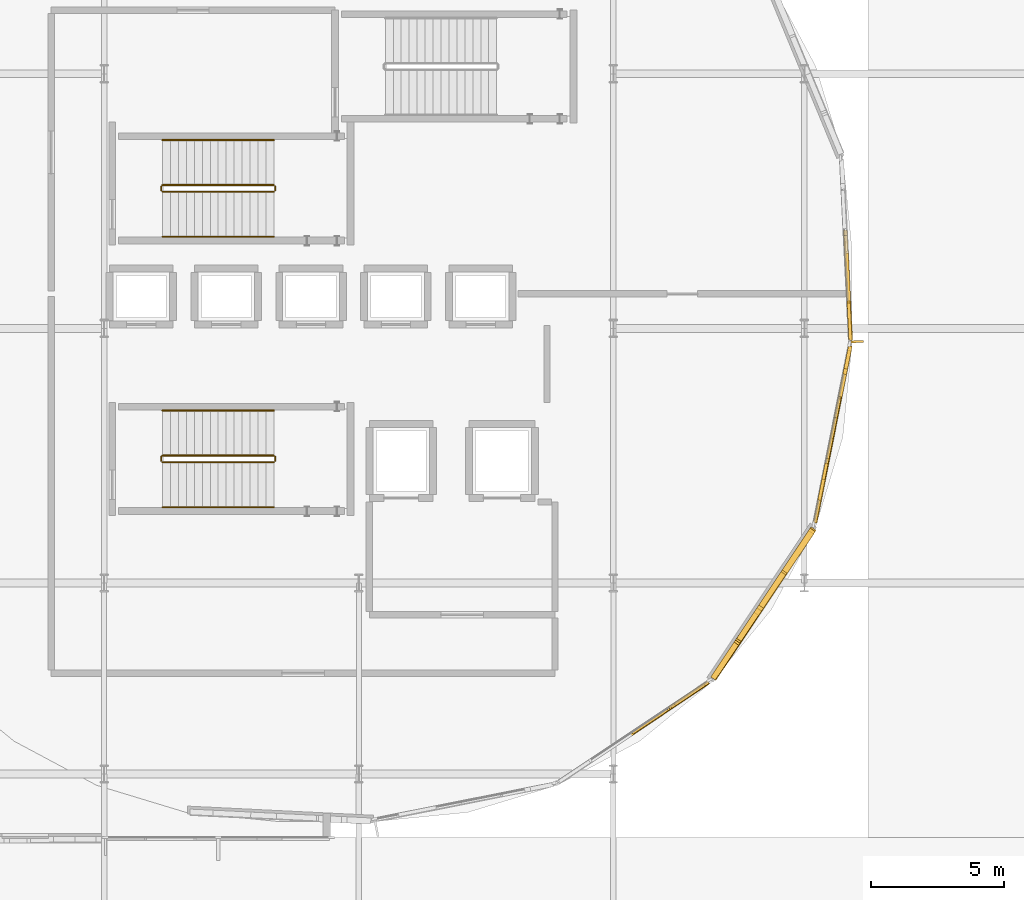
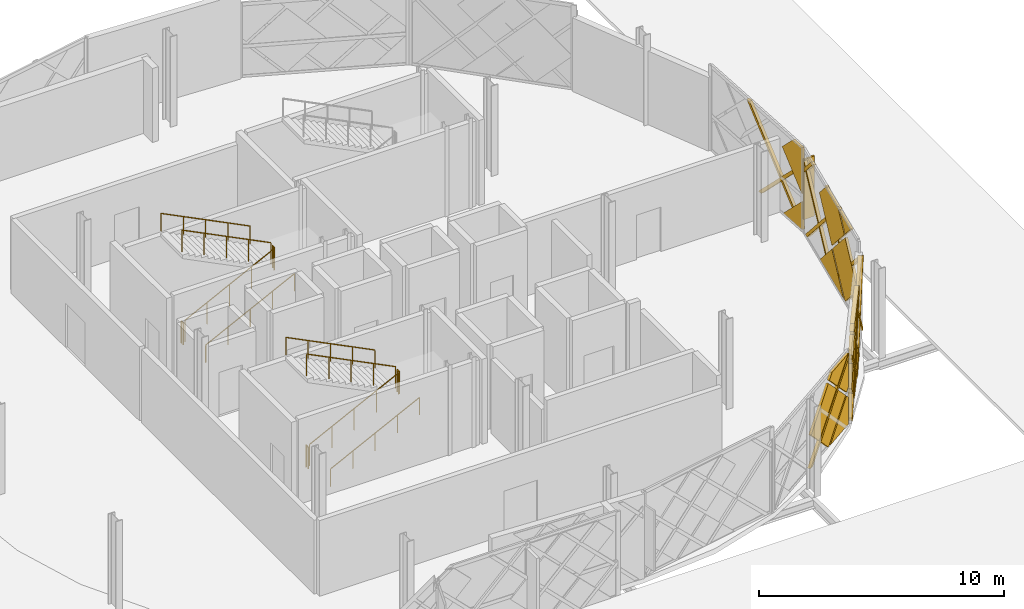
# One storey, part 96 of 101: 24 coverings, 12 railings, 1 shading device.
"""IFC4 building model written with IfcOpenShell, lengths in metres."""

from ifc_helpers import new_model, si_unit, direction, frame, origin, origin_2d, place, context, subcontext, project, spatial, polyline, rectangle, circle, outline, extrude, material, layer, layer_set, type_object, element, save


model = new_model("IFC4")

# Units and contexts
model_context = context("Model", 3, precision=1e-05, world=origin(), true_north=direction((0.0, 1.0)))
body_context = subcontext(model_context, "Body", "Model", "MODEL_VIEW")
ifc_project = project(units=[si_unit("LENGTHUNIT", "METRE"), si_unit("AREAUNIT", "SQUARE_METRE"), si_unit("VOLUMEUNIT", "CUBIC_METRE"), si_unit("PLANEANGLEUNIT", "RADIAN"), si_unit("MASSUNIT", "GRAM", prefix="KILO")], contexts=[model_context])

# Site, building, storey
site_placement = place(None, origin())
site = spatial("IfcSite", under=ifc_project, at=site_placement, CompositionType="ELEMENT")
building_placement = place(site_placement, origin())
building = spatial("IfcBuilding", under=site, at=building_placement, Name="Zevrakil Square Congress Hotel", CompositionType="ELEMENT")
storey_placement = place(building_placement, frame((0.0, 0.0, 5.39990234375)))
storey = spatial("IfcBuildingStorey", under=building, at=storey_placement, Name="L02", CompositionType="ELEMENT", Elevation=5.39990234375)

# Coverings
ifc_material_1 = material(Name="Architectural White Fibre-C GRC", Category="concrete")
ifc_layer_1 = layer(ifc_material_1, 0.06494140625)
ifc_layer_set_1 = layer_set([ifc_layer_1], Name="Architectural White Fibre-C GRC")
covering_type_1 = type_object("IfcCoveringType", Name="COV-DIA-WHITE", PredefinedType="CLADDING", material=ifc_layer_set_1)
covering_1_placement = place(storey_placement, frame((159.4658203125, 12.912109375, 1.590087890625), z_axis=(0.555559263103, -0.83147671077, 0.000620182861), x_axis=(0.588097955799, 0.392415880321, -0.707213243129)))
element("IfcCovering", 1, at=covering_1_placement, inside=storey, type_object=covering_type_1, Name="L02 45-degree white GRC diamond facade cassette 1983", PredefinedType="CLADDING", context=body_context, shape_type="SweptSolid", body=[
    extrude(outline(polyline([(0.0, 0.0), (0.2627086878753273, 0.0), (1.1990698893029093, -0.9363672295027874), (0.0001932836153204498, -2.135605450903055), (0.0, 0.0)])), origin(), (0.0, 0.0, -1.0), 0.1201171875),
])
covering_2_placement = place(storey_placement, frame((158.068359375, 11.9794921875, 3.27001953125), z_axis=(0.555603317877, -0.831447275475, 0.000617469804), x_axis=(0.588185274455, 0.392521688291, -0.707081895635)))
element("IfcCovering", 2, at=covering_2_placement, inside=storey, type_object=covering_type_1, Name="L02 45-degree white GRC diamond facade cassette 1984", PredefinedType="CLADDING", context=body_context, shape_type="SweptSolid", body=[
    extrude(outline(polyline([(0.0, 0.0), (2.248457724431889, 0.0), (2.2483756786929057, -2.2487276226373285), (-0.0002546731549100123, -2.248554983136285), (0.0, 0.0)])), origin(), (0.0, 0.0, -1.0), 0.1201171875),
])
covering_3_placement = place(storey_placement, frame((159.4658203125, 12.912109375, 1.77001953125), z_axis=(0.555612492183, -0.83144109515, 0.00068104743), x_axis=(-0.588160788901, -0.39246062092, 0.707136159043)))
element("IfcCovering", 3, at=covering_3_placement, inside=storey, type_object=covering_type_1, Name="L02 45-degree white GRC diamond facade cassette 1986", PredefinedType="CLADDING", context=body_context, shape_type="SweptSolid", body=[
    extrude(outline(polyline([(0.0, 0.0), (2.248630356921682, 0.0), (2.248710094200171, -0.3462376920270266), (1.1664292018162294, -1.428608904948594), (9.818256774377088e-05, -0.2626610304121505), (0.0, 0.0)])), origin(), (0.0, 0.0, -1.0), 0.1201171875),
])
covering_4_placement = place(storey_placement, frame((161.658447265625, 15.8486328125, 1.590087890625), z_axis=(0.831477606581, -0.555558008014, 0.000538038776), x_axis=(0.39316126858, 0.587741227615, -0.707095797082)))
element("IfcCovering", 4, at=covering_4_placement, inside=storey, type_object=covering_type_1, Name="L02 45-degree white GRC diamond facade cassette 1991", PredefinedType="CLADDING", context=body_context, shape_type="SweptSolid", body=[
    extrude(outline(polyline([(0.0, 0.0), (2.1355094625888142, 0.0), (7.910035813618599e-05, -2.1353646389201693), (0.0, 0.0)])), origin(), (0.0, 0.0, -1.0), 0.2099609375),
])
covering_5_placement = place(storey_placement, frame((160.72412109375, 14.452392578125, 3.27001953125), z_axis=(0.831457268101, -0.555588366, 0.000615539116), x_axis=(0.393252979763, 0.587733384043, -0.70705131581)))
element("IfcCovering", 5, at=covering_5_placement, inside=storey, type_object=covering_type_1, Name="L02 45-degree white GRC diamond facade cassette 1992", PredefinedType="CLADDING", context=body_context, shape_type="SweptSolid", body=[
    extrude(outline(polyline([(0.0, 0.0), (2.248554997334506, 2.220446049250313e-16), (2.2484729555061826, -2.2486303568326838), (0.01390961008193492, -2.248450540176302), (-0.0002452258302860777, -2.234293488932617), (0.0, 0.0)])), origin(), (0.0, 0.0, -1.0), 0.2099609375),
])
covering_6_placement = place(storey_placement, frame((162.541015625, 17.17138671875, 3.360107421875), z_axis=(0.831450681746, -0.555598271072, 0.000570092485), x_axis=(-0.392532560183, -0.588149023514, -0.707106014213)))
element("IfcCovering", 6, at=covering_6_placement, inside=storey, type_object=covering_type_1, Name="L02 45-degree white GRC diamond facade cassette 1993", PredefinedType="CLADDING", context=body_context, shape_type="SweptSolid", body=[
    extrude(outline(polyline([(0.0, 0.0), (2.2487261886142798, 0.0), (2.248635757494948, -2.2486316258978065), (1.9163421301424801, -2.2488304506483416), (-6.450346129810436e-06, -0.33248552571119894), (0.0, 0.0)])), origin(), (0.0, 0.0, -1.0), 0.2099609375),
])
covering_7_placement = place(storey_placement, frame((164.291015625, 22.2509765625, 1.590087890625), z_axis=(0.980788280172, -0.195074358725, 0.000586553491), x_axis=(0.138339886369, 0.693414389116, -0.707134047268)))
element("IfcCovering", 7, at=covering_7_placement, inside=storey, type_object=covering_type_1, Name="L02 45-degree white GRC diamond facade cassette 1998", PredefinedType="CLADDING", context=body_context, shape_type="SweptSolid", body=[
    extrude(outline(polyline([(0.0, 0.0), (2.135393948938125, -2.220446049250313e-16), (6.252448376709019e-05, -2.1354968457710672), (0.0, 0.0)])), origin(), (0.0, 0.0, -1.0), 0.1201171875),
])
covering_8_placement = place(storey_placement, frame((163.96240234375, 20.603515625, 3.27001953125), z_axis=(0.980784395581, -0.195093979943, 0.000555315343), x_axis=(0.13833571736, 0.69343421532, -0.707115420795)))
element("IfcCovering", 8, at=covering_8_placement, inside=storey, type_object=covering_type_1, Name="L02 45-degree white GRC diamond facade cassette 1999", PredefinedType="CLADDING", context=body_context, shape_type="SweptSolid", body=[
    extrude(outline(polyline([(0.0, 0.0), (2.248351128702862, 2.220446049250313e-16), (2.248476522813385, -2.248626630728299), (0.014072823598676676, -2.2484897123246546), (-8.329566528231247e-05, -2.2343339433500207), (0.0, 0.0)])), origin(), (0.0, 0.0, -1.0), 0.1201171875),
])
covering_9_placement = place(storey_placement, frame((164.60009765625, 23.810791015625, 3.360107421875), z_axis=(0.98078852399, -0.195073076438, 0.000605028517), x_axis=(-0.137520255996, -0.693617509049, -0.707094711005)))
element("IfcCovering", 9, at=covering_9_placement, inside=storey, type_object=covering_type_1, Name="L02 45-degree white GRC diamond facade cassette 2000", PredefinedType="CLADDING", context=body_context, shape_type="SweptSolid", body=[
    extrude(outline(polyline([(0.0, 0.0), (2.2487623931107255, 0.0), (2.2486334591275927, -2.2485575427902647), (1.1172433308627472, -2.248626470341491), (7.026128245923857e-05, -1.1314912087970685), (0.0, 0.0)])), origin(), (0.0, 0.0, -1.0), 0.1201171875),
])
covering_10_placement = place(storey_placement, frame((163.962158203125, 20.603515625, 3.4501953125), z_axis=(0.980771865673, -0.19515709459, 0.000505900206), x_axis=(-0.138352638888, -0.693465247994, 0.707081676426)))
element("IfcCovering", 10, at=covering_10_placement, inside=storey, type_object=covering_type_1, Name="L02 45-degree white GRC diamond facade cassette 2001", PredefinedType="CLADDING", context=body_context, shape_type="SweptSolid", body=[
    extrude(outline(polyline([(0.0, 0.0), (1.0040720346320442, 0.0), (3.003763596243214e-05, -1.0039709637297352), (0.0, 0.0)])), origin(), (0.0, 0.0, -1.0), 0.1201171875),
])
covering_11_placement = place(storey_placement, frame((164.9306640625, 27.35791015625, 0.080078125), z_axis=(0.998790229695, 0.04916908047, 0.000691802756), x_axis=(0.049169092236, -0.998790468701, 0.0)))
element("IfcCovering", 11, at=covering_11_placement, inside=storey, type_object=covering_type_1, Name="L02 45-degree white GRC diamond facade cassette 2007", PredefinedType="CLADDING", context=body_context, shape_type="SweptSolid", body=[
    extrude(outline(polyline([(0.0, 0.0), (1.4101528896809534, 0.0), (1.4101048729893164, -1.4099124467607822), (0.0, 0.0)])), origin(), (0.0, 0.0, -1.0), 0.1201171875),
])
covering_12_placement = place(storey_placement, frame((164.9248046875, 27.4375, 3.360107421875), z_axis=(0.998792341377, 0.04912798375, 0.000547739769), x_axis=(0.035124242101, -0.706206439694, -0.707134182565)))
element("IfcCovering", 12, at=covering_12_placement, inside=storey, type_object=covering_type_1, Name="L02 45-degree white GRC diamond facade cassette 2010", PredefinedType="CLADDING", context=body_context, shape_type="SweptSolid", body=[
    extrude(outline(polyline([(0.0, 0.0), (2.1070827176475504, 2.220446049250313e-16), (0.4876749408728829, -1.6191969766463112), (-0.0002408425519028201, -1.1312432569794448), (0.0, 0.0)])), origin(), (0.0, 0.0, -1.0), 0.1201171875),
])
ifc_material_2 = material(Name="Anodised Champagne Aluminium", Category="aluminium")
ifc_layer_2 = layer(ifc_material_2, 0.0849609375)
ifc_layer_set_2 = layer_set([ifc_layer_2], Name="Anodised Champagne Aluminium")
covering_type_2 = type_object("IfcCoveringType", Name="COV-DIAGRID-45", PredefinedType="MOLDING", material=ifc_layer_set_2)
covering_13_placement = place(storey_placement, frame((156.84130859375, 11.127197265625, 0.080078125), z_axis=(0.55536763444, -0.831604508971, 0.000855146254), x_axis=(-0.831604812975, -0.555367837597, -1.31964e-07)))
element("IfcCovering", 13, at=covering_13_placement, inside=storey, type_object=covering_type_2, Name="L02 45-degree aluminium diagrid rib 1988", PredefinedType="MOLDING", context=body_context, shape_type="SweptSolid", body=[
    extrude(outline(polyline([(0.0, 0.0), (0.21227855110842656, 1.3552527156068805e-20), (-3.312698995049422, -3.5249032079999396), (-3.3593528417408947, -3.524903169822086), (-3.359555848448224, -3.3596199111566096), (0.0, 0.0)])), origin(), (0.0, 0.0, -1.0), 0.14501953125),
])
covering_14_placement = place(storey_placement, frame((159.91650390625, 13.1953125, 0.080078125), z_axis=(0.831538504589, -0.55546690558, 0.000481862911), x_axis=(-0.555466969737, -0.831538601347, -8.23915e-07)))
element("IfcCovering", 14, at=covering_14_placement, inside=storey, type_object=covering_type_2, Name="L02 45-degree aluminium diagrid rib 1994", PredefinedType="MOLDING", context=body_context, shape_type="SweptSolid", body=[
    extrude(outline(polyline([(0.0, 0.0), (0.08592697004234735, 0.0), (0.08606247810033298, -0.12622078640710271), (-3.302811821154433, -3.5151343713251944), (-3.515090374659565, -3.515134192834589), (0.0, 0.0)])), origin(), (0.0, 0.0, -1.0), 0.235107421875),
])
covering_15_placement = place(storey_placement, frame((161.783203125, 15.989013671875, 0.080078125), z_axis=(0.831508996314, -0.555511060695, 0.000500494883), x_axis=(-0.555511130268, -0.831509100461, -9.009e-09)))
element("IfcCovering", 15, at=covering_15_placement, inside=storey, type_object=covering_type_2, Name="L02 45-degree aluminium diagrid rib 1995", PredefinedType="MOLDING", context=body_context, shape_type="SweptSolid", body=[
    extrude(outline(polyline([(0.0, 0.0), (0.21227855360162895, -1.3552527156068805e-20), (-3.302808865815297, -3.5151371486585976), (-3.3598228336922866, -3.515137108185531), (-3.3598228322911727, -3.35961954953873), (0.0, 0.0)])), origin(), (0.0, 0.0, -1.0), 0.235107421875),
])
covering_16_placement = place(storey_placement, frame((159.8671875, 13.124755859375, 3.154052734375), z_axis=(0.831417557174, -0.555647906135, 0.000500029542), x_axis=(-0.000415733392, 0.000277840403, 0.999999874985)))
element("IfcCovering", 16, at=covering_16_placement, inside=storey, type_object=covering_type_2, Name="L02 45-degree aluminium diagrid rib 1996", PredefinedType="MOLDING", context=body_context, shape_type="SweptSolid", body=[
    extrude(outline(polyline([(0.0, 0.0), (0.2121581766020891, 0.0), (-3.0739749936673046, -3.2860202207686338), (-3.0739750467131297, -3.074080309742456), (0.0, 0.0)])), origin(), (0.0, 0.0, -1.0), 0.235107421875),
])
covering_17_placement = place(storey_placement, frame((161.48876953125, 15.552001953125, 3.59521484375), z_axis=(0.831695252847, -0.555231456887, 0.001017681705), x_axis=(0.555231744407, 0.83169568353, 0.0)))
element("IfcCovering", 17, at=covering_17_placement, inside=storey, type_object=covering_type_2, Name="L02 45-degree aluminium diagrid rib 1997", PredefinedType="MOLDING", context=body_context, shape_type="SweptSolid", body=[
    extrude(outline(polyline([(0.0, 0.0), (0.21193993757641005, 0.0), (3.726894990028745, -3.5151385390228747), (3.5149550524523345, -3.5151385390228747), (0.0, 0.0)])), origin(), (0.0, 0.0, -1.0), 0.235107421875),
])
covering_18_placement = place(storey_placement, frame((163.697265625, 19.133056640625, 0.080078125), z_axis=(0.980852281954, -0.194753006203, 0.000259925157), x_axis=(-0.194753012837, -0.980852315076, 2.16793e-07)))
element("IfcCovering", 18, at=covering_18_placement, inside=storey, type_object=covering_type_2, Name="L02 45-degree aluminium diagrid rib 2002", PredefinedType="MOLDING", context=body_context, shape_type="SweptSolid", body=[
    extrude(outline(polyline([(0.0, 0.0), (0.08613595188042249, -8.470329472543003e-22), (0.08613597924422975, -0.126220698861193), (-3.8677918422336095, -4.080079108444085), (-4.079852250342643, -4.080079164921344), (0.0, 0.0)])), origin(), (0.0, 0.0, -1.0), 0.14501953125),
])
covering_19_placement = place(storey_placement, frame((164.352783203125, 22.428466796875, 0.080078125), z_axis=(0.980785460149, -0.195088507288, 0.000596225565), x_axis=(-0.195088542171, -0.980785634435, 3.55569e-07)))
element("IfcCovering", 19, at=covering_19_placement, inside=storey, type_object=covering_type_2, Name="L02 45-degree aluminium diagrid rib 2003", PredefinedType="MOLDING", context=body_context, shape_type="SweptSolid", body=[
    extrude(outline(polyline([(0.0, 0.0), (0.21210801091490003, 3.3881317890172014e-21), (-3.3595449781430626, -3.5717791731573048), (-3.3595450535799523, -3.359621007741843), (0.0, 0.0)])), origin(), (0.0, 0.0, -1.0), 0.14501953125),
])
covering_20_placement = place(storey_placement, frame((163.6787109375, 19.048828125, 3.154052734375), z_axis=(0.980802557991, -0.195002294176, 0.00066895815), x_axis=(-0.000479783458, 0.001017346409, 0.999999367407)))
element("IfcCovering", 20, at=covering_20_placement, inside=storey, type_object=covering_type_2, Name="L02 45-degree aluminium diagrid rib 2004", PredefinedType="MOLDING", context=body_context, shape_type="SweptSolid", body=[
    extrude(outline(polyline([(0.0, 0.0), (0.21215843442539725, 2.710505431213761e-20), (-3.071002522525861, -3.2889203664073885), (-3.0711942256392897, -3.076812454060212), (0.0, 0.0)])), origin(), (0.0, 0.0, -1.0), 0.14501953125),
])
covering_21_placement = place(storey_placement, frame((164.13720703125, 21.35791015625, 4.16015625), z_axis=(0.980669115751, -0.195673415115, 5.509909e-06), x_axis=(0.195673415118, 0.980669115765, 0.0)))
element("IfcCovering", 21, at=covering_21_placement, inside=storey, type_object=covering_type_2, Name="L02 45-degree aluminium diagrid rib 2005", PredefinedType="MOLDING", context=body_context, shape_type="SweptSolid", body=[
    extrude(outline(polyline([(0.0, 0.0), (0.21210804863334146, 0.0), (4.291956080029573, -4.080078125061934), (4.079848031396231, -4.080078125061934), (0.0, 0.0)])), origin(), (0.0, 0.0, -1.0), 0.14501953125),
])
covering_22_placement = place(storey_placement, frame((164.792724609375, 24.6533203125, 4.16015625), z_axis=(0.980765958173, -0.195186412486, 0.000632193908), x_axis=(0.195186451243, 0.980766154214, 3.99854e-07)))
element("IfcCovering", 22, at=covering_22_placement, inside=storey, type_object=covering_type_2, Name="L02 45-degree aluminium diagrid rib 2006", PredefinedType="MOLDING", context=body_context, shape_type="SweptSolid", body=[
    extrude(outline(polyline([(0.0, 0.0), (0.21206036954347765, 0.0), (1.091661691990275, -0.8796392841622), (1.0916616071580698, -1.0917974448906358), (0.0, 0.0)])), origin(), (0.0, 0.0, -1.0), 0.14501953125),
])
covering_23_placement = place(storey_placement, frame((165.020751953125, 26.03662109375, 0.080078125), z_axis=(0.998783499643, 0.049308340919, 0.000456461574), x_axis=(0.049308345833, -0.998783603706, 4.88592e-07)))
element("IfcCovering", 23, at=covering_23_placement, inside=storey, type_object=covering_type_2, Name="L02 45-degree aluminium diagrid rib 2013", PredefinedType="MOLDING", context=body_context, shape_type="SweptSolid", body=[
    extrude(outline(polyline([(0.0, 0.0), (0.08603761483972219, 0.0), (0.08603767651018393, -0.1262206899754901), (-3.868078091929696, -4.080080457423227), (-4.080252024275205, -4.080080577588662), (0.0, 0.0)])), origin(), (0.0, 0.0, -1.0), 0.14501953125),
])
covering_24_placement = place(storey_placement, frame((165.023193359375, 25.95068359375, 3.154052734375), z_axis=(0.998768055577, 0.049611888066, 0.001015737174), x_axis=(-0.001017318746, 6.627804e-06, 0.999999482509)))
element("IfcCovering", 24, at=covering_24_placement, inside=storey, type_object=covering_type_2, Name="L02 45-degree aluminium diagrid rib 2015", PredefinedType="MOLDING", context=body_context, shape_type="SweptSolid", body=[
    extrude(outline(polyline([(0.0, 0.0), (0.2121583417039134, 0.0), (-3.073788583079394, -3.2862937689619716), (-3.073800667464216, -3.0741198357748525), (0.0, 0.0)])), origin(), (0.0, 0.0, -1.0), 0.14501953125),
])

# Railings
ifc_material_3 = material(Name="Steel S355", Category="steel")
railing_type_1 = type_object("IfcRailingType", Name="RLG-STAIR-GUARD-1100", PredefinedType="BALUSTRADE", material=ifc_material_3)
railing_1_placement = place(storey_placement, frame((139.0, 21.35009765625, 0.150146484375)))
element("IfcRailing", 25, at=railing_1_placement, inside=storey, type_object=railing_type_1, Name="L02 ST01 stair guard 1", PredefinedType="BALUSTRADE", context=body_context, shape_type="SweptSolid", body=[
    extrude(circle(Radius=0.02392578125, at=origin_2d()), frame((0.0, 0.0, 1.076171875), z_axis=(0.894437589381, 0.0, 0.447192798132), x_axis=(0.0, 1.0, 0.0)), (0.0, 0.0, 1.0), 4.695556640625),
    extrude(circle(Radius=0.02099609375, at=origin_2d()), origin(), (0.0, 0.0, 1.0), 1.052001953125),
    extrude(circle(Radius=0.02099609375, at=origin_2d()), frame((1.050048828125, 0.0, 0.52490234375)), (0.0, 0.0, 1.0), 1.052001953125),
    extrude(circle(Radius=0.02099609375, at=origin_2d()), frame((2.10009765625, 0.0, 1.0498046875)), (0.0, 0.0, 1.0), 1.052001953125),
    extrude(circle(Radius=0.02099609375, at=origin_2d()), frame((3.14990234375, 0.0, 1.574951171875)), (0.0, 0.0, 1.0), 1.052001953125),
    extrude(circle(Radius=0.02099609375, at=origin_2d()), frame((4.199951171875, 0.0, 2.099853515625)), (0.0, 0.0, 1.0), 1.052001953125),
])
railing_2_placement = place(storey_placement, frame((143.25, 21.39990234375, 2.25)))
element("IfcRailing", 26, at=railing_2_placement, inside=storey, type_object=railing_type_1, Name="L02 ST01 stair guard 2", PredefinedType="BALUSTRADE", context=body_context, shape_type="SweptSolid", body=[
    extrude(circle(Radius=0.02392578125, at=origin_2d()), frame((0.0, 0.0, 1.076171875), z_axis=(0.0, 1.0, 0.0), x_axis=(-1.0, 0.0, 0.0)), (0.0, 0.0, 1.0), 0.150146484375),
    extrude(circle(Radius=0.02099609375, at=origin_2d()), origin(), (0.0, 0.0, 1.0), 1.052001953125),
    extrude(circle(Radius=0.02099609375, at=origin_2d()), frame((0.0, 0.150146484375, 0.0)), (0.0, 0.0, 1.0), 1.052001953125),
])
railing_3_placement = place(storey_placement, frame((143.199951171875, 21.60009765625, 2.400146484375)))
element("IfcRailing", 27, at=railing_3_placement, inside=storey, type_object=railing_type_1, Name="L02 ST01 stair guard 3", PredefinedType="BALUSTRADE", context=body_context, shape_type="SweptSolid", body=[
    extrude(circle(Radius=0.02392578125, at=origin_2d()), frame((0.0, 0.0, 1.076171875), z_axis=(-0.894437589381, 0.0, 0.447192798132), x_axis=(0.0, -1.0, 0.0)), (0.0, 0.0, 1.0), 4.695556640625),
    extrude(circle(Radius=0.02099609375, at=origin_2d()), origin(), (0.0, 0.0, 1.0), 1.052001953125),
    extrude(circle(Radius=0.02099609375, at=origin_2d()), frame((-1.050048828125, 0.0, 0.52490234375)), (0.0, 0.0, 1.0), 1.052001953125),
    extrude(circle(Radius=0.02099609375, at=origin_2d()), frame((-2.10009765625, 0.0, 1.0498046875)), (0.0, 0.0, 1.0), 1.052001953125),
    extrude(circle(Radius=0.02099609375, at=origin_2d()), frame((-3.14990234375, 0.0, 1.574951171875)), (0.0, 0.0, 1.0), 1.052001953125),
    extrude(circle(Radius=0.02099609375, at=origin_2d()), frame((-4.199951171875, 0.0, 2.099853515625)), (0.0, 0.0, 1.0), 1.052001953125),
])
railing_4_placement = place(storey_placement, frame((138.949951171875, 21.39990234375, 0.0)))
element("IfcRailing", 28, at=railing_4_placement, inside=storey, type_object=railing_type_1, Name="L02 ST01 stair guard 4", PredefinedType="BALUSTRADE", context=body_context, shape_type="SweptSolid", body=[
    extrude(circle(Radius=0.02392578125, at=origin_2d()), frame((0.0, 0.0, 1.076171875), z_axis=(0.0, 1.0, 0.0), x_axis=(-1.0, 0.0, 0.0)), (0.0, 0.0, 1.0), 0.150146484375),
    extrude(circle(Radius=0.02099609375, at=origin_2d()), origin(), (0.0, 0.0, 1.0), 1.052001953125),
    extrude(circle(Radius=0.02099609375, at=origin_2d()), frame((0.0, 0.150146484375, 0.0)), (0.0, 0.0, 1.0), 1.052001953125),
])
railing_5_placement = place(storey_placement, frame((139.0, 31.550048828125, 0.150146484375)))
element("IfcRailing", 29, at=railing_5_placement, inside=storey, type_object=railing_type_1, Name="L02 ST02 stair guard 1", PredefinedType="BALUSTRADE", context=body_context, shape_type="SweptSolid", body=[
    extrude(circle(Radius=0.02392578125, at=origin_2d()), frame((0.0, 0.0, 1.076171875), z_axis=(0.894437589381, 0.0, 0.447192798132), x_axis=(0.0, 1.0, 0.0)), (0.0, 0.0, 1.0), 4.695556640625),
    extrude(circle(Radius=0.02099609375, at=origin_2d()), origin(), (0.0, 0.0, 1.0), 1.052001953125),
    extrude(circle(Radius=0.02099609375, at=origin_2d()), frame((1.050048828125, 0.0, 0.52490234375)), (0.0, 0.0, 1.0), 1.052001953125),
    extrude(circle(Radius=0.02099609375, at=origin_2d()), frame((2.10009765625, 0.0, 1.0498046875)), (0.0, 0.0, 1.0), 1.052001953125),
    extrude(circle(Radius=0.02099609375, at=origin_2d()), frame((3.14990234375, 0.0, 1.574951171875)), (0.0, 0.0, 1.0), 1.052001953125),
    extrude(circle(Radius=0.02099609375, at=origin_2d()), frame((4.199951171875, 0.0, 2.099853515625)), (0.0, 0.0, 1.0), 1.052001953125),
])
railing_6_placement = place(storey_placement, frame((143.25, 31.60009765625, 2.25)))
element("IfcRailing", 30, at=railing_6_placement, inside=storey, type_object=railing_type_1, Name="L02 ST02 stair guard 2", PredefinedType="BALUSTRADE", context=body_context, shape_type="SweptSolid", body=[
    extrude(circle(Radius=0.02392578125, at=origin_2d()), frame((0.0, 0.0, 1.076171875), z_axis=(0.0, 1.0, 0.0), x_axis=(-1.0, 0.0, 0.0)), (0.0, 0.0, 1.0), 0.14990234375),
    extrude(circle(Radius=0.02099609375, at=origin_2d()), origin(), (0.0, 0.0, 1.0), 1.052001953125),
    extrude(circle(Radius=0.02099609375, at=origin_2d()), frame((0.0, 0.14990234375, 0.0)), (0.0, 0.0, 1.0), 1.052001953125),
])
railing_7_placement = place(storey_placement, frame((143.199951171875, 31.800048828125, 2.400146484375)))
element("IfcRailing", 31, at=railing_7_placement, inside=storey, type_object=railing_type_1, Name="L02 ST02 stair guard 3", PredefinedType="BALUSTRADE", context=body_context, shape_type="SweptSolid", body=[
    extrude(circle(Radius=0.02392578125, at=origin_2d()), frame((0.0, 0.0, 1.076171875), z_axis=(-0.894437589381, 0.0, 0.447192798132), x_axis=(0.0, -1.0, 0.0)), (0.0, 0.0, 1.0), 4.695556640625),
    extrude(circle(Radius=0.02099609375, at=origin_2d()), origin(), (0.0, 0.0, 1.0), 1.052001953125),
    extrude(circle(Radius=0.02099609375, at=origin_2d()), frame((-1.050048828125, 0.0, 0.52490234375)), (0.0, 0.0, 1.0), 1.052001953125),
    extrude(circle(Radius=0.02099609375, at=origin_2d()), frame((-2.10009765625, 0.0, 1.0498046875)), (0.0, 0.0, 1.0), 1.052001953125),
    extrude(circle(Radius=0.02099609375, at=origin_2d()), frame((-3.14990234375, 0.0, 1.574951171875)), (0.0, 0.0, 1.0), 1.052001953125),
    extrude(circle(Radius=0.02099609375, at=origin_2d()), frame((-4.199951171875, 0.0, 2.099853515625)), (0.0, 0.0, 1.0), 1.052001953125),
])
railing_8_placement = place(storey_placement, frame((138.949951171875, 31.60009765625, 0.0)))
element("IfcRailing", 32, at=railing_8_placement, inside=storey, type_object=railing_type_1, Name="L02 ST02 stair guard 4", PredefinedType="BALUSTRADE", context=body_context, shape_type="SweptSolid", body=[
    extrude(circle(Radius=0.02392578125, at=origin_2d()), frame((0.0, 0.0, 1.076171875), z_axis=(0.0, 1.0, 0.0), x_axis=(-1.0, 0.0, 0.0)), (0.0, 0.0, 1.0), 0.14990234375),
    extrude(circle(Radius=0.02099609375, at=origin_2d()), origin(), (0.0, 0.0, 1.0), 1.052001953125),
    extrude(circle(Radius=0.02099609375, at=origin_2d()), frame((0.0, 0.14990234375, 0.0)), (0.0, 0.0, 1.0), 1.052001953125),
])
ifc_material_4 = material(Name="Steel S355", Category="steel")
railing_type_2 = type_object("IfcRailingType", Name="RLG-STAIR-HAND-900", PredefinedType="HANDRAIL", material=ifc_material_4)
railing_9_placement = place(storey_placement, frame((139.0, 19.64990234375, 0.150146484375)))
element("IfcRailing", 33, at=railing_9_placement, inside=storey, type_object=railing_type_2, Name="L02 ST01 stair handrail 1", PredefinedType="HANDRAIL", context=body_context, shape_type="SweptSolid", body=[
    extrude(circle(Radius=0.02392578125, at=origin_2d()), frame((0.0, 0.0, 0.8759765625), z_axis=(0.894437589381, 0.0, 0.447192798132), x_axis=(0.0, 1.0, 0.0)), (0.0, 0.0, 1.0), 4.695556640625),
    extrude(circle(Radius=0.02099609375, at=origin_2d()), origin(), (0.0, 0.0, 1.0), 0.851806640625),
    extrude(circle(Radius=0.02099609375, at=origin_2d()), frame((1.050048828125, 0.0, 0.52490234375)), (0.0, 0.0, 1.0), 0.851806640625),
    extrude(circle(Radius=0.02099609375, at=origin_2d()), frame((2.10009765625, 0.0, 1.0498046875)), (0.0, 0.0, 1.0), 0.851806640625),
    extrude(circle(Radius=0.02099609375, at=origin_2d()), frame((3.14990234375, 0.0, 1.574951171875)), (0.0, 0.0, 1.0), 0.851806640625),
    extrude(circle(Radius=0.02099609375, at=origin_2d()), frame((4.199951171875, 0.0, 2.099853515625)), (0.0, 0.0, 1.0), 0.851806640625),
])
railing_10_placement = place(storey_placement, frame((143.199951171875, 23.300048828125, 2.400146484375)))
element("IfcRailing", 34, at=railing_10_placement, inside=storey, type_object=railing_type_2, Name="L02 ST01 stair handrail 2", PredefinedType="HANDRAIL", context=body_context, shape_type="SweptSolid", body=[
    extrude(circle(Radius=0.02392578125, at=origin_2d()), frame((0.0, 0.0, 0.8759765625), z_axis=(-0.894437589381, 0.0, 0.447192798132), x_axis=(0.0, -1.0, 0.0)), (0.0, 0.0, 1.0), 4.695556640625),
    extrude(circle(Radius=0.02099609375, at=origin_2d()), origin(), (0.0, 0.0, 1.0), 0.851806640625),
    extrude(circle(Radius=0.02099609375, at=origin_2d()), frame((-1.050048828125, 0.0, 0.52490234375)), (0.0, 0.0, 1.0), 0.851806640625),
    extrude(circle(Radius=0.02099609375, at=origin_2d()), frame((-2.10009765625, 0.0, 1.0498046875)), (0.0, 0.0, 1.0), 0.851806640625),
    extrude(circle(Radius=0.02099609375, at=origin_2d()), frame((-3.14990234375, 0.0, 1.574951171875)), (0.0, 0.0, 1.0), 0.851806640625),
    extrude(circle(Radius=0.02099609375, at=origin_2d()), frame((-4.199951171875, 0.0, 2.099853515625)), (0.0, 0.0, 1.0), 0.851806640625),
])
railing_11_placement = place(storey_placement, frame((139.0, 29.85009765625, 0.150146484375)))
element("IfcRailing", 35, at=railing_11_placement, inside=storey, type_object=railing_type_2, Name="L02 ST02 stair handrail 1", PredefinedType="HANDRAIL", context=body_context, shape_type="SweptSolid", body=[
    extrude(circle(Radius=0.02392578125, at=origin_2d()), frame((0.0, 0.0, 0.8759765625), z_axis=(0.894437589381, 0.0, 0.447192798132), x_axis=(0.0, 1.0, 0.0)), (0.0, 0.0, 1.0), 4.695556640625),
    extrude(circle(Radius=0.02099609375, at=origin_2d()), origin(), (0.0, 0.0, 1.0), 0.851806640625),
    extrude(circle(Radius=0.02099609375, at=origin_2d()), frame((1.050048828125, 0.0, 0.52490234375)), (0.0, 0.0, 1.0), 0.851806640625),
    extrude(circle(Radius=0.02099609375, at=origin_2d()), frame((2.10009765625, 0.0, 1.0498046875)), (0.0, 0.0, 1.0), 0.851806640625),
    extrude(circle(Radius=0.02099609375, at=origin_2d()), frame((3.14990234375, 0.0, 1.574951171875)), (0.0, 0.0, 1.0), 0.851806640625),
    extrude(circle(Radius=0.02099609375, at=origin_2d()), frame((4.199951171875, 0.0, 2.099853515625)), (0.0, 0.0, 1.0), 0.851806640625),
])
railing_12_placement = place(storey_placement, frame((143.199951171875, 33.5, 2.400146484375)))
element("IfcRailing", 36, at=railing_12_placement, inside=storey, type_object=railing_type_2, Name="L02 ST02 stair handrail 2", PredefinedType="HANDRAIL", context=body_context, shape_type="SweptSolid", body=[
    extrude(circle(Radius=0.02392578125, at=origin_2d()), frame((0.0, 0.0, 0.8759765625), z_axis=(-0.894437589381, 0.0, 0.447192798132), x_axis=(0.0, -1.0, 0.0)), (0.0, 0.0, 1.0), 4.695556640625),
    extrude(circle(Radius=0.02099609375, at=origin_2d()), origin(), (0.0, 0.0, 1.0), 0.851806640625),
    extrude(circle(Radius=0.02099609375, at=origin_2d()), frame((-1.050048828125, 0.0, 0.52490234375)), (0.0, 0.0, 1.0), 0.851806640625),
    extrude(circle(Radius=0.02099609375, at=origin_2d()), frame((-2.10009765625, 0.0, 1.0498046875)), (0.0, 0.0, 1.0), 0.851806640625),
    extrude(circle(Radius=0.02099609375, at=origin_2d()), frame((-3.14990234375, 0.0, 1.574951171875)), (0.0, 0.0, 1.0), 0.851806640625),
    extrude(circle(Radius=0.02099609375, at=origin_2d()), frame((-4.199951171875, 0.0, 2.099853515625)), (0.0, 0.0, 1.0), 0.851806640625),
])

# Shading device
ifc_material_5 = material(Name="Aluminium Anodised Bronze", Category="aluminium")
shading_device_type = type_object("IfcShadingDeviceType", Name="SHD-FIN-50", PredefinedType="JALOUSIE", material=ifc_material_5)
shading_device_placement = place(storey_placement, frame((165.177734375, 25.898193359375, 0.6201171875), z_axis=(0.0, 0.0, 1.0), x_axis=(0.998792456968, 0.049128687178, 0.0)))
element("IfcShadingDevice", 37, at=shading_device_placement, inside=storey, type_object=shading_device_type, Name="L02 aluminium solar shading fin 113", PredefinedType="JALOUSIE", context=body_context, shape_type="SweptSolid", body=[
    extrude(rectangle(XDim=0.5, YDim=0.080078125, at=origin_2d()), origin(), (0.0, 0.0, 1.0), 3.0),
])

save(model, "model.ifc")
